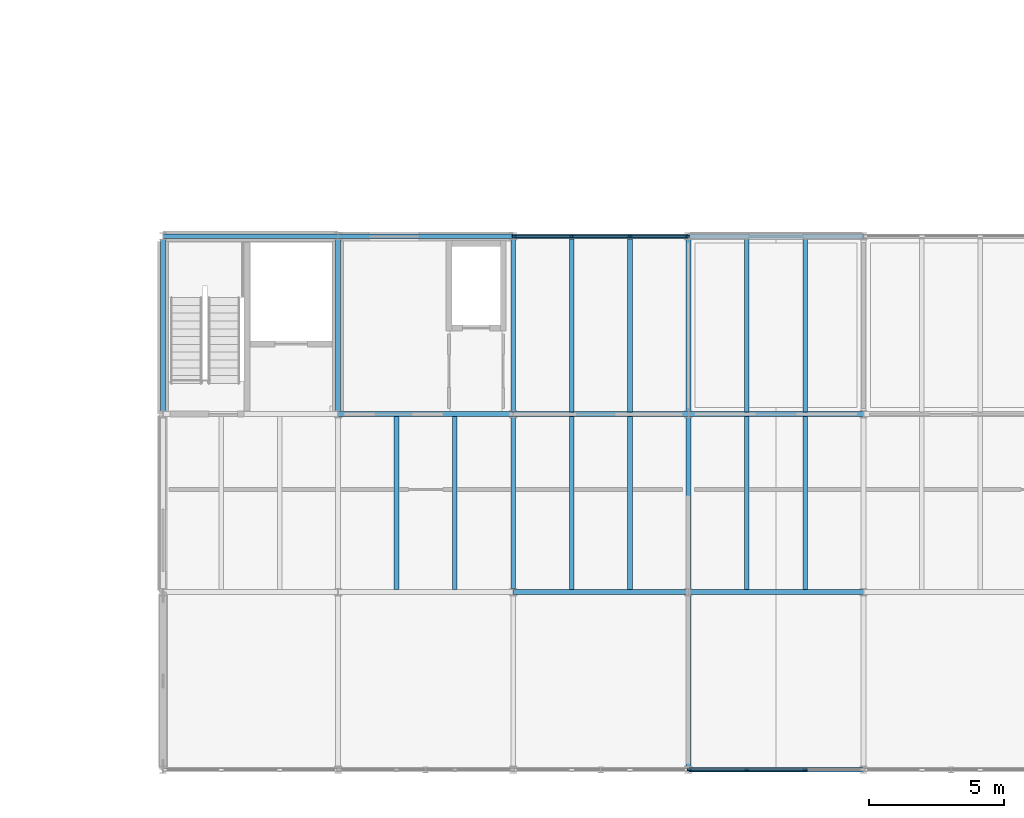
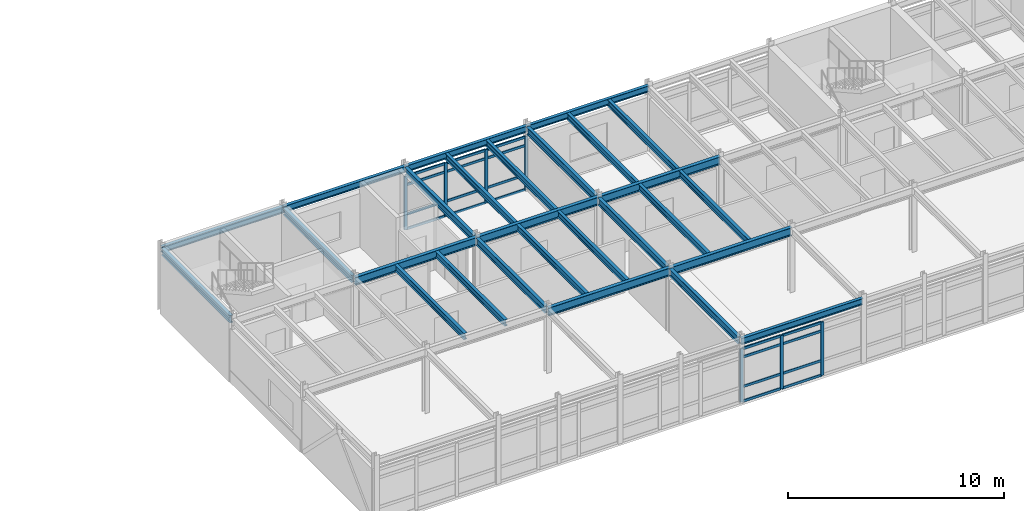
# One storey, part 8 of 26: 27 beams, 27 members, 2 elements without a shape of their own.
"""IFC4 building model written with IfcOpenShell, lengths in metres."""

from ifc_helpers import new_model, si_unit, direction, frame, origin, origin_2d, place, context, subcontext, project, spatial, rectangle, i_section, extrude, material, layer, layer_set, material_profile, profile_set, type_object, element, aggregate, save


model = new_model("IFC4")

# Units and contexts
model_context = context("Model", 3, precision=1e-05, world=origin(), true_north=direction((0.0, 1.0)))
body_context = subcontext(model_context, "Body", "Model", "MODEL_VIEW")
ifc_project = project(units=[si_unit("LENGTHUNIT", "METRE"), si_unit("AREAUNIT", "SQUARE_METRE"), si_unit("VOLUMEUNIT", "CUBIC_METRE"), si_unit("PLANEANGLEUNIT", "RADIAN"), si_unit("MASSUNIT", "GRAM", prefix="KILO")], contexts=[model_context])

# Site, building, storey
site_placement = place(None, origin())
site = spatial("IfcSite", under=ifc_project, at=site_placement, CompositionType="ELEMENT")
building_placement = place(site_placement, origin())
building = spatial("IfcBuilding", under=site, at=building_placement, Name="Trelmorton Wharf Fire Station", CompositionType="ELEMENT")
storey_placement = place(building_placement, frame((0.0, 0.0, 17.39990234375)))
storey = spatial("IfcBuildingStorey", under=building, at=storey_placement, Name="L04", CompositionType="ELEMENT", Elevation=17.39990234375)

# Beams
ifc_material_1 = material(Name="Steel Grade 350", Category="steel")
ifc_material_profile_1 = material_profile(ifc_material_1, i_section(OverallWidth=0.177978515625, OverallDepth=0.406005859375, WebThickness=0.0078125, FlangeThickness=0.0126953125, FilletRadius=0.011474609375, at=origin_2d()), Name="410UB59.7")
ifc_profile_set_1 = profile_set([ifc_material_profile_1], Name="Steel Grade 350")
beam_type_1 = type_object("IfcBeamType", Name="BM_410UB60", PredefinedType="BEAM", material=ifc_profile_set_1)
for number, where, z_axis, x_axis, name in (
    (1, (110.5, 21.1259765625, 3.427001953125), (0.0, 1.0, 0.0), (-1.0, 0.0, 0.0), "BM-L04-1098"),
    (2, (117.0, 21.1259765625, 3.427001953125), (0.0, 1.0, 0.0), (-1.0, 0.0, 0.0), "BM-L04-1103"),
    (3, (123.5, 14.52587890625, 3.427001953125), (0.0, 1.0, 0.0), (-1.0, 0.0, 0.0), "BM-L04-1107"),
    (4, (123.5, 21.1259765625, 3.427001953125), (0.0, 1.0, 0.0), (-1.0, 0.0, 0.0), "BM-L04-1108"),
):
    element("IfcBeam", number, at=place(storey_placement, frame(where, z_axis=z_axis, x_axis=x_axis)), inside=storey, type_object=beam_type_1, Name=name, PredefinedType="BEAM", context=body_context, shape_type="SweptSolid", body=[
        extrude(i_section(OverallWidth=0.177978515625, OverallDepth=0.406005859375, WebThickness=0.0078125, FlangeThickness=0.0126953125, FilletRadius=0.011474609375, at=origin_2d()), origin(), (0.0, 0.0, 1.0), 6.34814453125),
    ])
beam_placement = place(storey_placement, frame((130.0, 7.926025390625, 3.427001953125), z_axis=(0.0, 1.0, 0.0), x_axis=(-1.0, 0.0, 0.0)))
element("IfcBeam", 5, at=beam_placement, inside=storey, type_object=beam_type_1, Name="BM-L04-1109", PredefinedType="BEAM", context=body_context, shape_type="SweptSolid", body=[
    extrude(i_section(OverallWidth=0.177978515625, OverallDepth=0.406005859375, WebThickness=0.0078125, FlangeThickness=0.0126953125, FilletRadius=0.011474609375, at=origin_2d()), origin(), (0.0, 0.0, 1.0), 6.347900390625),
])
for number, where, z_axis, x_axis, name in (
    (6, (130.0, 14.52587890625, 3.427001953125), (0.0, 1.0, 0.0), (-1.0, 0.0, 0.0), "BM-L04-1110"),
    (7, (130.0, 21.1259765625, 3.427001953125), (0.0, 1.0, 0.0), (-1.0, 0.0, 0.0), "BM-L04-1111"),
):
    element("IfcBeam", number, at=place(storey_placement, frame(where, z_axis=z_axis, x_axis=x_axis)), inside=storey, type_object=beam_type_1, Name=name, PredefinedType="BEAM", context=body_context, shape_type="SweptSolid", body=[
        extrude(i_section(OverallWidth=0.177978515625, OverallDepth=0.406005859375, WebThickness=0.0078125, FlangeThickness=0.0126953125, FilletRadius=0.011474609375, at=origin_2d()), origin(), (0.0, 0.0, 1.0), 6.34814453125),
    ])
ifc_material_profile_2 = material_profile(ifc_material_1, i_section(OverallWidth=0.18994140625, OverallDepth=0.45703125, WebThickness=0.009033203125, FlangeThickness=0.014404296875, FilletRadius=0.011474609375, at=origin_2d()), Name="460UB74.6")
ifc_profile_set_2 = profile_set([ifc_material_profile_2], Name="Steel Grade 350")
beam_type_2 = type_object("IfcBeamType", Name="BM_460UB75", PredefinedType="BEAM", material=ifc_profile_set_2)
for number, where, z_axis, x_axis, name in (
    (8, (123.50390625, 14.39990234375, 3.401611328125), (1.0, 0.0, 0.0), (0.0, 1.0, 0.0), "BM-L04-1043"),
    (9, (130.00390625, 14.39990234375, 3.401611328125), (1.0, 0.0, 0.0), (0.0, 1.0, 0.0), "BM-L04-1044"),
    (10, (117.00390625, 21.0, 3.401611328125), (1.0, 0.0, 0.0), (0.0, 1.0, 0.0), "BM-L04-1049"),
    (11, (123.50390625, 21.0, 3.401611328125), (1.0, 0.0, 0.0), (0.0, 1.0, 0.0), "BM-L04-1050"),
    (12, (130.00390625, 21.0, 3.401611328125), (1.0, 0.0, 0.0), (0.0, 1.0, 0.0), "BM-L04-1051"),
):
    element("IfcBeam", number, at=place(storey_placement, frame(where, z_axis=z_axis, x_axis=x_axis)), inside=storey, type_object=beam_type_2, Name=name, PredefinedType="BEAM", context=body_context, shape_type="SweptSolid", body=[
        extrude(i_section(OverallWidth=0.18994140625, OverallDepth=0.45703125, WebThickness=0.009033203125, FlangeThickness=0.014404296875, FilletRadius=0.011474609375, at=origin_2d()), origin(), (0.0, 0.0, 1.0), 6.4921875),
    ])

# Curtain wall, members
ifc_material_2 = material(Name="Anodised aluminium AW-6063", Category="aluminium")
ifc_layer_1 = layer(ifc_material_2, 0.175048828125)
ifc_layer_set_1 = layer_set([ifc_layer_1], Name="Anodised aluminium AW-6063")
curtain_wall_type_1 = type_object("IfcCurtainWallType", Name="CW_CHIC_B", PredefinedType="USERDEFINED", material=ifc_layer_set_1)
curtain_wall_1_placement = place(storey_placement, origin())
curtain_wall_1 = element("IfcCurtainWall", 13, at=curtain_wall_1_placement, inside=storey, type_object=curtain_wall_type_1, Name="CW-V5-L04-075", ObjectType="CHICAGO BAY CURTAIN WALL", PredefinedType="USERDEFINED")
ifc_material_profile_3 = material_profile(ifc_material_2, rectangle(XDim=0.06494140625, YDim=0.159912109375, at=origin_2d()), Name="ALU-65x160")
ifc_profile_set_3 = profile_set([ifc_material_profile_3], Name="Anodised aluminium AW-6063")
member_type_1 = type_object("IfcMemberType", Name="CWM_65x160", PredefinedType="MULLION", material=ifc_profile_set_3)
member_1_placement = place(storey_placement, frame((134.331787109375, 7.800048828125, 0.0), z_axis=(0.0, 0.0, 1.0), x_axis=(0.0, -1.0, 0.0)))
member_1 = element("IfcMember", 14, at=member_1_placement, type_object=member_type_1, Name="CW2 mullion 2", PredefinedType="MULLION", context=body_context, shape_type="SweptSolid", body=[
    extrude(rectangle(XDim=0.06494140625, YDim=0.159912109375, at=origin_2d()), origin(), (0.0, 0.0, 1.0), 3.02001953125),
])
member_2_placement = place(storey_placement, frame((132.168212890625, 7.800048828125, 0.0), z_axis=(0.0, 0.0, 1.0), x_axis=(0.0, -1.0, 0.0)))
member_2 = element("IfcMember", 15, at=member_2_placement, type_object=member_type_1, Name="CW2 mullion 3", PredefinedType="MULLION", context=body_context, shape_type="SweptSolid", body=[
    extrude(rectangle(XDim=0.06494140625, YDim=0.159912109375, at=origin_2d()), origin(), (0.0, 0.0, 1.0), 3.02001953125),
])
member_3_placement = place(storey_placement, frame((130.034912109375, 7.800048828125, 0.0), z_axis=(0.0, 0.0, 1.0), x_axis=(0.0, -1.0, 0.0)))
member_3 = element("IfcMember", 16, at=member_3_placement, type_object=member_type_1, Name="CW2 mullion 4", PredefinedType="MULLION", context=body_context, shape_type="SweptSolid", body=[
    extrude(rectangle(XDim=0.06494140625, YDim=0.159912109375, at=origin_2d()), origin(), (0.0, 0.0, 1.0), 3.02001953125),
])

ifc_layer_2 = layer(ifc_material_2, 0.14990234375)
ifc_layer_set_2 = layer_set([ifc_layer_2], Name="Anodised aluminium AW-6063")
curtain_wall_type_2 = type_object("IfcCurtainWallType", Name="CW_UNIT_A", PredefinedType="USERDEFINED", material=ifc_layer_set_2)
curtain_wall_2_placement = place(storey_placement, origin())
curtain_wall_2 = element("IfcCurtainWall", 17, at=curtain_wall_2_placement, inside=storey, type_object=curtain_wall_type_2, Name="CW-V5-L04-079", ObjectType="UNITISED CURTAIN WALL", PredefinedType="USERDEFINED")
member_4_placement = place(storey_placement, frame((123.534912109375, 27.60009765625, 0.0), z_axis=(0.0, 0.0, 1.0), x_axis=(0.0, 1.0, 0.0)))
member_4 = element("IfcMember", 18, at=member_4_placement, type_object=member_type_1, Name="CW3 mullion 1", PredefinedType="MULLION", context=body_context, shape_type="SweptSolid", body=[
    extrude(rectangle(XDim=0.06494140625, YDim=0.159912109375, at=origin_2d()), origin(), (0.0, 0.0, 1.0), 3.02001953125),
])
member_5_placement = place(storey_placement, frame((125.668212890625, 27.60009765625, 0.0), z_axis=(0.0, 0.0, 1.0), x_axis=(0.0, 1.0, 0.0)))
member_5 = element("IfcMember", 19, at=member_5_placement, type_object=member_type_1, Name="CW3 mullion 2", PredefinedType="MULLION", context=body_context, shape_type="SweptSolid", body=[
    extrude(rectangle(XDim=0.06494140625, YDim=0.159912109375, at=origin_2d()), origin(), (0.0, 0.0, 1.0), 3.02001953125),
])
member_6_placement = place(storey_placement, frame((127.831787109375, 27.60009765625, 0.0), z_axis=(0.0, 0.0, 1.0), x_axis=(0.0, 1.0, 0.0)))
member_6 = element("IfcMember", 20, at=member_6_placement, type_object=member_type_1, Name="CW3 mullion 3", PredefinedType="MULLION", context=body_context, shape_type="SweptSolid", body=[
    extrude(rectangle(XDim=0.06494140625, YDim=0.159912109375, at=origin_2d()), origin(), (0.0, 0.0, 1.0), 3.02001953125),
])
member_7_placement = place(storey_placement, frame((129.965087890625, 27.60009765625, 0.0), z_axis=(0.0, 0.0, 1.0), x_axis=(0.0, 1.0, 0.0)))
member_7 = element("IfcMember", 21, at=member_7_placement, type_object=member_type_1, Name="CW3 mullion 4", PredefinedType="MULLION", context=body_context, shape_type="SweptSolid", body=[
    extrude(rectangle(XDim=0.06494140625, YDim=0.159912109375, at=origin_2d()), origin(), (0.0, 0.0, 1.0), 3.02001953125),
])

# Member
ifc_material_profile_4 = material_profile(ifc_material_2, rectangle(XDim=0.06494140625, YDim=0.139892578125, at=origin_2d()), Name="ALU-65x140")
ifc_profile_set_4 = profile_set([ifc_material_profile_4], Name="Anodised aluminium AW-6063")
member_type_2 = type_object("IfcMemberType", Name="CWT_65x140", PredefinedType="USERDEFINED", material=ifc_profile_set_4)
member_8_placement = place(storey_placement, frame((134.3017578125, 7.800048828125, 0.030029296875), z_axis=(-1.0, 0.0, 0.0), x_axis=(0.0, -1.0, 0.0)))
member_8 = element("IfcMember", 22, at=member_8_placement, type_object=member_type_2, Name="CW2 transom 2.1", ObjectType="TRANSOM", PredefinedType="USERDEFINED", context=body_context, shape_type="SweptSolid", body=[
    extrude(rectangle(XDim=0.06494140625, YDim=0.139892578125, at=origin_2d()), origin(), (0.0, 0.0, 1.0), 2.103515625),
])

member_9_placement = place(storey_placement, frame((134.3017578125, 7.800048828125, 0.85009765625), z_axis=(-1.0, 0.0, 0.0), x_axis=(0.0, -1.0, 0.0)))
member_9 = element("IfcMember", 23, at=member_9_placement, type_object=member_type_2, Name="CW2 transom 2.2", ObjectType="TRANSOM", PredefinedType="USERDEFINED", context=body_context, shape_type="SweptSolid", body=[
    extrude(rectangle(XDim=0.06494140625, YDim=0.139892578125, at=origin_2d()), origin(), (0.0, 0.0, 1.0), 2.103515625),
])

member_10_placement = place(storey_placement, frame((134.3017578125, 7.800048828125, 2.52001953125), z_axis=(-1.0, 0.0, 0.0), x_axis=(0.0, -1.0, 0.0)))
member_10 = element("IfcMember", 24, at=member_10_placement, type_object=member_type_2, Name="CW2 transom 2.3", ObjectType="TRANSOM", PredefinedType="USERDEFINED", context=body_context, shape_type="SweptSolid", body=[
    extrude(rectangle(XDim=0.06494140625, YDim=0.139892578125, at=origin_2d()), origin(), (0.0, 0.0, 1.0), 2.103515625),
])

member_11_placement = place(storey_placement, frame((134.3017578125, 7.800048828125, 2.989990234375), z_axis=(-1.0, 0.0, 0.0), x_axis=(0.0, -1.0, 0.0)))
member_11 = element("IfcMember", 25, at=member_11_placement, type_object=member_type_2, Name="CW2 transom 2.4", ObjectType="TRANSOM", PredefinedType="USERDEFINED", context=body_context, shape_type="SweptSolid", body=[
    extrude(rectangle(XDim=0.06494140625, YDim=0.139892578125, at=origin_2d()), origin(), (0.0, 0.0, 1.0), 2.103515625),
])

member_12_placement = place(storey_placement, frame((132.138427734375, 7.800048828125, 0.030029296875), z_axis=(-1.0, 0.0, 0.0), x_axis=(0.0, -1.0, 0.0)))
member_12 = element("IfcMember", 26, at=member_12_placement, type_object=member_type_2, Name="CW2 transom 3.1", ObjectType="TRANSOM", PredefinedType="USERDEFINED", context=body_context, shape_type="SweptSolid", body=[
    extrude(rectangle(XDim=0.06494140625, YDim=0.139892578125, at=origin_2d()), origin(), (0.0, 0.0, 1.0), 2.073486328125),
])

member_13_placement = place(storey_placement, frame((132.138427734375, 7.800048828125, 0.85009765625), z_axis=(-1.0, 0.0, 0.0), x_axis=(0.0, -1.0, 0.0)))
member_13 = element("IfcMember", 27, at=member_13_placement, type_object=member_type_2, Name="CW2 transom 3.2", ObjectType="TRANSOM", PredefinedType="USERDEFINED", context=body_context, shape_type="SweptSolid", body=[
    extrude(rectangle(XDim=0.06494140625, YDim=0.139892578125, at=origin_2d()), origin(), (0.0, 0.0, 1.0), 2.073486328125),
])

member_14_placement = place(storey_placement, frame((132.138427734375, 7.800048828125, 2.52001953125), z_axis=(-1.0, 0.0, 0.0), x_axis=(0.0, -1.0, 0.0)))
member_14 = element("IfcMember", 28, at=member_14_placement, type_object=member_type_2, Name="CW2 transom 3.3", ObjectType="TRANSOM", PredefinedType="USERDEFINED", context=body_context, shape_type="SweptSolid", body=[
    extrude(rectangle(XDim=0.06494140625, YDim=0.139892578125, at=origin_2d()), origin(), (0.0, 0.0, 1.0), 2.073486328125),
])

member_15_placement = place(storey_placement, frame((132.138427734375, 7.800048828125, 2.989990234375), z_axis=(-1.0, 0.0, 0.0), x_axis=(0.0, -1.0, 0.0)))
member_15 = element("IfcMember", 29, at=member_15_placement, type_object=member_type_2, Name="CW2 transom 3.4", ObjectType="TRANSOM", PredefinedType="USERDEFINED", context=body_context, shape_type="SweptSolid", body=[
    extrude(rectangle(XDim=0.06494140625, YDim=0.139892578125, at=origin_2d()), origin(), (0.0, 0.0, 1.0), 2.073486328125),
])

aggregate(curtain_wall_1, [member_1, member_2, member_3, member_8, member_9, member_10, member_11, member_12, member_13, member_14, member_15])

member_16_placement = place(storey_placement, frame((123.56494140625, 27.60009765625, 0.030029296875), z_axis=(1.0, 0.0, 0.0), x_axis=(0.0, 1.0, 0.0)))
member_16 = element("IfcMember", 30, at=member_16_placement, type_object=member_type_2, Name="CW3 transom 1.1", ObjectType="TRANSOM", PredefinedType="USERDEFINED", context=body_context, shape_type="SweptSolid", body=[
    extrude(rectangle(XDim=0.06494140625, YDim=0.139892578125, at=origin_2d()), origin(), (0.0, 0.0, 1.0), 2.073486328125),
])

member_17_placement = place(storey_placement, frame((123.56494140625, 27.60009765625, 0.85009765625), z_axis=(1.0, 0.0, 0.0), x_axis=(0.0, 1.0, 0.0)))
member_17 = element("IfcMember", 31, at=member_17_placement, type_object=member_type_2, Name="CW3 transom 1.2", ObjectType="TRANSOM", PredefinedType="USERDEFINED", context=body_context, shape_type="SweptSolid", body=[
    extrude(rectangle(XDim=0.06494140625, YDim=0.139892578125, at=origin_2d()), origin(), (0.0, 0.0, 1.0), 2.073486328125),
])

member_18_placement = place(storey_placement, frame((123.56494140625, 27.60009765625, 2.52001953125), z_axis=(1.0, 0.0, 0.0), x_axis=(0.0, 1.0, 0.0)))
member_18 = element("IfcMember", 32, at=member_18_placement, type_object=member_type_2, Name="CW3 transom 1.3", ObjectType="TRANSOM", PredefinedType="USERDEFINED", context=body_context, shape_type="SweptSolid", body=[
    extrude(rectangle(XDim=0.06494140625, YDim=0.139892578125, at=origin_2d()), origin(), (0.0, 0.0, 1.0), 2.073486328125),
])

member_19_placement = place(storey_placement, frame((123.56494140625, 27.60009765625, 2.989990234375), z_axis=(1.0, 0.0, 0.0), x_axis=(0.0, 1.0, 0.0)))
member_19 = element("IfcMember", 33, at=member_19_placement, type_object=member_type_2, Name="CW3 transom 1.4", ObjectType="TRANSOM", PredefinedType="USERDEFINED", context=body_context, shape_type="SweptSolid", body=[
    extrude(rectangle(XDim=0.06494140625, YDim=0.139892578125, at=origin_2d()), origin(), (0.0, 0.0, 1.0), 2.073486328125),
])

member_20_placement = place(storey_placement, frame((125.6982421875, 27.60009765625, 0.030029296875), z_axis=(1.0, 0.0, 0.0), x_axis=(0.0, 1.0, 0.0)))
member_20 = element("IfcMember", 34, at=member_20_placement, type_object=member_type_2, Name="CW3 transom 2.1", ObjectType="TRANSOM", PredefinedType="USERDEFINED", context=body_context, shape_type="SweptSolid", body=[
    extrude(rectangle(XDim=0.06494140625, YDim=0.139892578125, at=origin_2d()), origin(), (0.0, 0.0, 1.0), 2.103515625),
])

member_21_placement = place(storey_placement, frame((125.6982421875, 27.60009765625, 0.85009765625), z_axis=(1.0, 0.0, 0.0), x_axis=(0.0, 1.0, 0.0)))
member_21 = element("IfcMember", 35, at=member_21_placement, type_object=member_type_2, Name="CW3 transom 2.2", ObjectType="TRANSOM", PredefinedType="USERDEFINED", context=body_context, shape_type="SweptSolid", body=[
    extrude(rectangle(XDim=0.06494140625, YDim=0.139892578125, at=origin_2d()), origin(), (0.0, 0.0, 1.0), 2.103515625),
])

member_22_placement = place(storey_placement, frame((125.6982421875, 27.60009765625, 2.52001953125), z_axis=(1.0, 0.0, 0.0), x_axis=(0.0, 1.0, 0.0)))
member_22 = element("IfcMember", 36, at=member_22_placement, type_object=member_type_2, Name="CW3 transom 2.3", ObjectType="TRANSOM", PredefinedType="USERDEFINED", context=body_context, shape_type="SweptSolid", body=[
    extrude(rectangle(XDim=0.06494140625, YDim=0.139892578125, at=origin_2d()), origin(), (0.0, 0.0, 1.0), 2.103515625),
])

member_23_placement = place(storey_placement, frame((125.6982421875, 27.60009765625, 2.989990234375), z_axis=(1.0, 0.0, 0.0), x_axis=(0.0, 1.0, 0.0)))
member_23 = element("IfcMember", 37, at=member_23_placement, type_object=member_type_2, Name="CW3 transom 2.4", ObjectType="TRANSOM", PredefinedType="USERDEFINED", context=body_context, shape_type="SweptSolid", body=[
    extrude(rectangle(XDim=0.06494140625, YDim=0.139892578125, at=origin_2d()), origin(), (0.0, 0.0, 1.0), 2.103515625),
])

member_24_placement = place(storey_placement, frame((127.861572265625, 27.60009765625, 0.030029296875), z_axis=(1.0, 0.0, 0.0), x_axis=(0.0, 1.0, 0.0)))
member_24 = element("IfcMember", 38, at=member_24_placement, type_object=member_type_2, Name="CW3 transom 3.1", ObjectType="TRANSOM", PredefinedType="USERDEFINED", context=body_context, shape_type="SweptSolid", body=[
    extrude(rectangle(XDim=0.06494140625, YDim=0.139892578125, at=origin_2d()), origin(), (0.0, 0.0, 1.0), 2.073486328125),
])

member_25_placement = place(storey_placement, frame((127.861572265625, 27.60009765625, 0.85009765625), z_axis=(1.0, 0.0, 0.0), x_axis=(0.0, 1.0, 0.0)))
member_25 = element("IfcMember", 39, at=member_25_placement, type_object=member_type_2, Name="CW3 transom 3.2", ObjectType="TRANSOM", PredefinedType="USERDEFINED", context=body_context, shape_type="SweptSolid", body=[
    extrude(rectangle(XDim=0.06494140625, YDim=0.139892578125, at=origin_2d()), origin(), (0.0, 0.0, 1.0), 2.073486328125),
])

member_26_placement = place(storey_placement, frame((127.861572265625, 27.60009765625, 2.52001953125), z_axis=(1.0, 0.0, 0.0), x_axis=(0.0, 1.0, 0.0)))
member_26 = element("IfcMember", 40, at=member_26_placement, type_object=member_type_2, Name="CW3 transom 3.3", ObjectType="TRANSOM", PredefinedType="USERDEFINED", context=body_context, shape_type="SweptSolid", body=[
    extrude(rectangle(XDim=0.06494140625, YDim=0.139892578125, at=origin_2d()), origin(), (0.0, 0.0, 1.0), 2.073486328125),
])

member_27_placement = place(storey_placement, frame((127.861572265625, 27.60009765625, 2.989990234375), z_axis=(1.0, 0.0, 0.0), x_axis=(0.0, 1.0, 0.0)))
member_27 = element("IfcMember", 41, at=member_27_placement, type_object=member_type_2, Name="CW3 transom 3.4", ObjectType="TRANSOM", PredefinedType="USERDEFINED", context=body_context, shape_type="SweptSolid", body=[
    extrude(rectangle(XDim=0.06494140625, YDim=0.139892578125, at=origin_2d()), origin(), (0.0, 0.0, 1.0), 2.073486328125),
])

aggregate(curtain_wall_2, [member_4, member_5, member_6, member_7, member_16, member_17, member_18, member_19, member_20, member_21, member_22, member_23, member_24, member_25, member_26, member_27])

# Beams
ifc_material_profile_5 = material_profile(ifc_material_1, i_section(OverallWidth=0.172119140625, OverallDepth=0.35888671875, WebThickness=0.008056640625, FlangeThickness=0.012939453125, FilletRadius=0.011474609375, at=origin_2d()), Name="360UB56.7")
ifc_profile_set_5 = profile_set([ifc_material_profile_5], Name="Steel Grade 350")
beam_type_3 = type_object("IfcBeamType", Name="JS_360UB57", PredefinedType="JOIST", material=ifc_profile_set_5)
for number, where, z_axis, x_axis, name in (
    (42, (119.166748046875, 14.489990234375, 3.45068359375), (0.0, 1.0, 0.0), (-1.0, 0.0, 0.0), "JS-L04-0391"),
    (43, (121.333251953125, 14.489990234375, 3.45068359375), (0.0, 1.0, 0.0), (-1.0, 0.0, 0.0), "JS-L04-0392"),
    (44, (125.666748046875, 14.489990234375, 3.45068359375), (0.0, 1.0, 0.0), (-1.0, 0.0, 0.0), "JS-L04-0393"),
    (45, (127.833251953125, 14.489990234375, 3.45068359375), (0.0, 1.0, 0.0), (-1.0, 0.0, 0.0), "JS-L04-0394"),
    (46, (125.666748046875, 21.090087890625, 3.45068359375), (0.0, 1.0, 0.0), (-1.0, 0.0, 0.0), "JS-L04-0395"),
    (47, (127.833251953125, 21.090087890625, 3.45068359375), (0.0, 1.0, 0.0), (-1.0, 0.0, 0.0), "JS-L04-0396"),
    (48, (132.166748046875, 14.489990234375, 3.45068359375), (0.0, 1.0, 0.0), (-1.0, 0.0, 0.0), "JS-L04-0397"),
    (49, (134.333251953125, 14.489990234375, 3.45068359375), (0.0, 1.0, 0.0), (-1.0, 0.0, 0.0), "JS-L04-0398"),
    (50, (132.166748046875, 21.090087890625, 3.45068359375), (0.0, 1.0, 0.0), (-1.0, 0.0, 0.0), "JS-L04-0399"),
    (51, (134.333251953125, 21.090087890625, 3.45068359375), (0.0, 1.0, 0.0), (-1.0, 0.0, 0.0), "JS-L04-0400"),
):
    element("IfcBeam", number, at=place(storey_placement, frame(where, z_axis=z_axis, x_axis=x_axis)), inside=storey, type_object=beam_type_3, Name=name, PredefinedType="JOIST", context=body_context, shape_type="SweptSolid", body=[
        extrude(i_section(OverallWidth=0.172119140625, OverallDepth=0.35888671875, WebThickness=0.008056640625, FlangeThickness=0.012939453125, FilletRadius=0.011474609375, at=origin_2d()), origin(), (0.0, 0.0, 1.0), 6.419921875),
    ])
ifc_material_profile_6 = material_profile(ifc_material_1, i_section(OverallWidth=0.1708984375, OverallDepth=0.35595703125, WebThickness=0.00732421875, FlangeThickness=0.011474609375, FilletRadius=0.011474609375, at=origin_2d()), Name="360UB50.7")
ifc_profile_set_6 = profile_set([ifc_material_profile_6], Name="Steel Grade 350")
beam_type_4 = type_object("IfcBeamType", Name="SP_360UB51", PredefinedType="SPANDREL", material=ifc_profile_set_6)
for number, where, z_axis, x_axis, name in (
    (52, (130.00390625, 7.800048828125, 3.4521484375), (1.0, 0.0, 0.0), (0.0, 1.0, 0.0), "BM-L04-1037"),
    (53, (110.50390625, 27.60009765625, 3.4521484375), (1.0, 0.0, 0.0), (0.0, 1.0, 0.0), "BM-L04-1055"),
    (54, (117.00390625, 27.60009765625, 3.4521484375), (1.0, 0.0, 0.0), (0.0, 1.0, 0.0), "BM-L04-1056"),
    (55, (123.50390625, 27.60009765625, 3.4521484375), (1.0, 0.0, 0.0), (0.0, 1.0, 0.0), "BM-L04-1057"),
    (56, (130.00390625, 27.60009765625, 3.4521484375), (1.0, 0.0, 0.0), (0.0, 1.0, 0.0), "BM-L04-1058"),
):
    element("IfcBeam", number, at=place(storey_placement, frame(where, z_axis=z_axis, x_axis=x_axis)), inside=storey, type_object=beam_type_4, Name=name, PredefinedType="SPANDREL", context=body_context, shape_type="SweptSolid", body=[
        extrude(i_section(OverallWidth=0.1708984375, OverallDepth=0.35595703125, WebThickness=0.00732421875, FlangeThickness=0.011474609375, FilletRadius=0.011474609375, at=origin_2d()), origin(), (0.0, 0.0, 1.0), 6.4921875),
    ])

save(model, "model.ifc")
